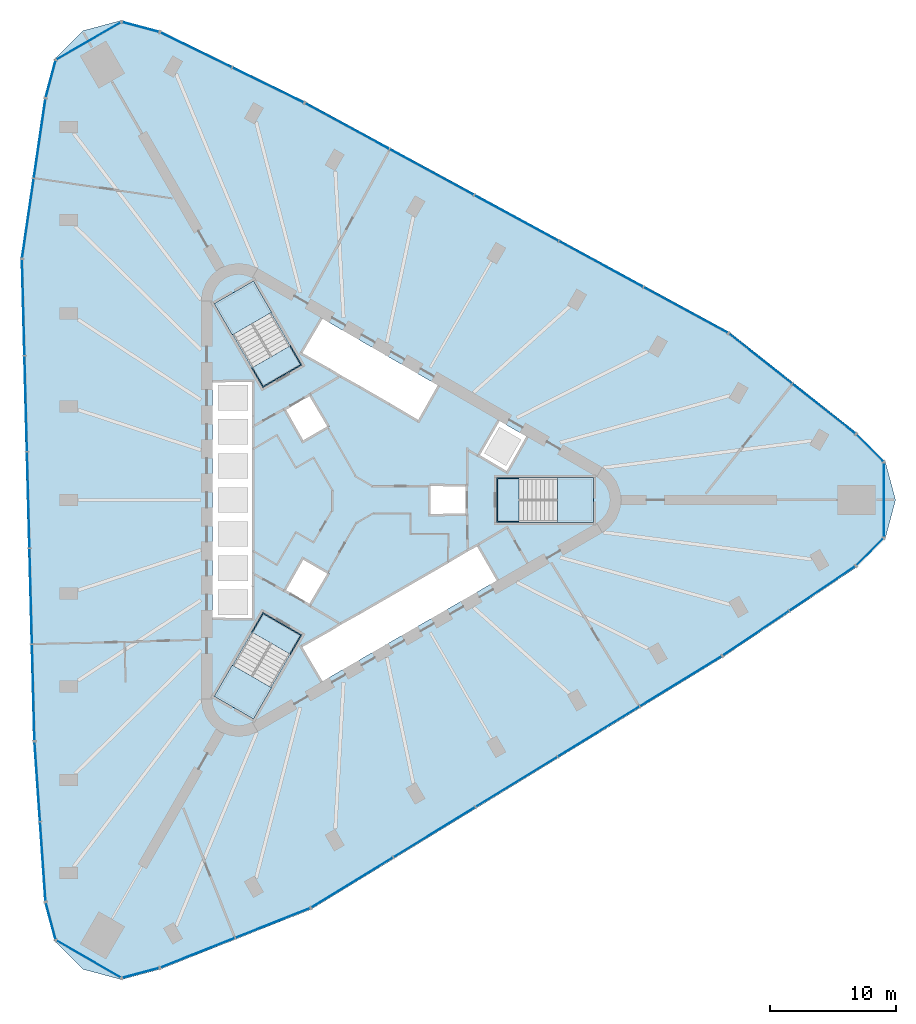
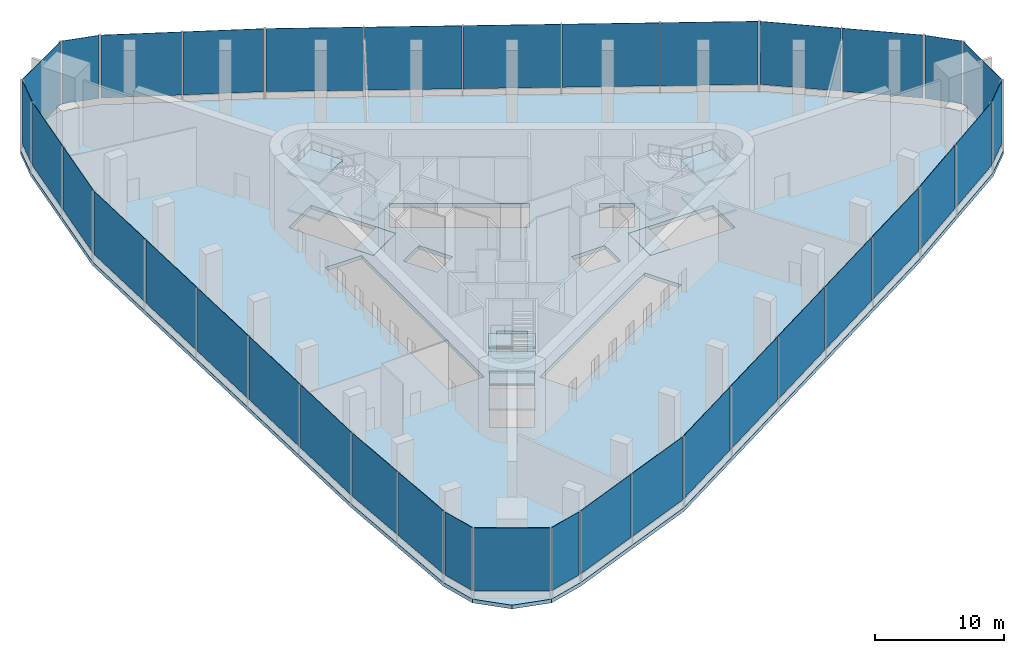
# One storey, part 7 of 15: 36 plates, 13 slabs, 21 elements without a shape of their own.
"""IFC4 building model written with IfcOpenShell, lengths in metres."""

import ifcopenshell
import ifcopenshell.guid

model = None  # the IFC model being written
_history = None  # IfcOwnerHistory: only IFC2X3 demands one
_inside = {}  # id of a spatial element -> (the spatial element, [elements in it])
_under = {}  # id of a project, library or spatial element -> (it, [spatial elements below it])
_declared = {}  # id of a project -> (the project, [libraries it declares])
_typed = {}  # id of a type object -> (the type object, [elements of that type])
_made_of = {}  # id of a material, layer set ... -> (it, [elements and type objects made of it])


def new_model(schema):
    """Start an empty IFC model of exactly this schema.

    Asked for "IFC4X3", IfcOpenShell would pick the latest addendum, in which some entities
    have other attributes; the version numbers below select the first issue.
    IFC2X3 requires an IfcOwnerHistory on every rooted entity: one is made here for all.
    """
    global model, _history
    if schema == "IFC4X3":
        model = ifcopenshell.file(schema_version=(4, 3, 0, 0))
    else:
        model = ifcopenshell.file(schema=schema)
    _inside.clear()
    _under.clear()
    _declared.clear()
    _typed.clear()
    _made_of.clear()
    _history = None
    if model.schema == "IFC2X3":
        org = make("IfcOrganization", Name="unknown")
        user = make(
            "IfcPersonAndOrganization",
            ThePerson=make("IfcPerson", FamilyName="unknown"),
            TheOrganization=org,
        )
        app = make(
            "IfcApplication",
            ApplicationDeveloper=org,
            Version="unknown",
            ApplicationFullName="unknown",
            ApplicationIdentifier="unknown",
        )
        _history = make(
            "IfcOwnerHistory",
            OwningUser=user,
            OwningApplication=app,
            ChangeAction="ADDED",
            CreationDate=0,
        )
    return model


def make(cls, **values):
    """One entity of the class cls with the attributes given. An attribute that is None is left unset."""
    return model.create_entity(
        cls, **{name: value for name, value in values.items() if value is not None}
    )


def rooted(cls, **values):
    """An entity with a GlobalId (a new one), such as an element, a storey or a relation."""
    return make(cls, GlobalId=ifcopenshell.guid.new(), OwnerHistory=_history, **values)


def si_unit(unit_type, name, prefix=None):
    """IfcSIUnit, for example si_unit("LENGTHUNIT", "METRE", prefix="MILLI")."""
    return make("IfcSIUnit", UnitType=unit_type, Prefix=prefix, Name=name)


def assignment(units):
    """IfcUnitAssignment: the units of a project."""
    return None if units is None else make("IfcUnitAssignment", Units=units)


def point(xyz):
    """IfcCartesianPoint."""
    return None if xyz is None else make("IfcCartesianPoint", Coordinates=xyz)


def direction(xyz):
    """IfcDirection."""
    return None if xyz is None else make("IfcDirection", DirectionRatios=xyz)


def frame(location, z_axis=None, x_axis=None):
    """IfcAxis2Placement3D, a coordinate frame: its origin and axes. An axis left out is left unset."""
    return make(
        "IfcAxis2Placement3D",
        Location=point(location),
        Axis=direction(z_axis),
        RefDirection=direction(x_axis),
    )


def frame_2d(location, x_axis=None):
    """IfcAxis2Placement2D, a coordinate frame in the plane: its origin and x axis."""
    return make(
        "IfcAxis2Placement2D", Location=point(location), RefDirection=direction(x_axis)
    )


def origin():
    """The frame at (0, 0, 0) with its axes left unset."""
    return frame((0.0, 0.0, 0.0))


def origin_2d():
    """The frame at (0, 0) in the plane with its x axis left unset."""
    return frame_2d((0.0, 0.0))


def place(relative_to, where):
    """IfcLocalPlacement: puts the frame where relative to a parent placement (None: the world)."""
    return make(
        "IfcLocalPlacement", PlacementRelTo=relative_to, RelativePlacement=where
    )


def context(
    kind, dimensions, precision=None, world=None, true_north=None, identifier=None
):
    """IfcGeometricRepresentationContext, for example the 3D "Model" context."""
    return make(
        "IfcGeometricRepresentationContext",
        ContextIdentifier=identifier,
        ContextType=kind,
        CoordinateSpaceDimension=dimensions,
        Precision=precision,
        WorldCoordinateSystem=world,
        TrueNorth=true_north,
    )


def subcontext(parent, identifier, kind, view, scale=None):
    """IfcGeometricRepresentationSubContext, for example "Body" below "Model"."""
    return make(
        "IfcGeometricRepresentationSubContext",
        ContextIdentifier=identifier,
        ContextType=kind,
        ParentContext=parent,
        TargetScale=scale,
        TargetView=view,
    )


def project(units=None, contexts=None):
    """IfcProject with its units and contexts."""
    return rooted(
        "IfcProject",
        Name="project",
        RepresentationContexts=contexts,
        UnitsInContext=assignment(units),
    )


def spatial(cls, under=None, at=None, **own):
    """A site, building, storey or space (cls), placed at a placement, below another one or the project."""
    s = rooted(cls, ObjectPlacement=at, **own)
    if under is not None:
        _under.setdefault(under.id(), (under, []))[1].append(s)
    return s


def polyline(points):
    """IfcPolyline through the points."""
    return make("IfcPolyline", Points=[point(p) for p in points])


def profile(cls, at=None, kind="AREA", **sizes):
    """A parametric profile (cls). Its sizes go by their IFC names, for example OverallWidth=200.0."""
    return make(cls, ProfileType=kind, Position=at, **sizes)


def rectangle(**sizes):
    """IfcRectangleProfileDef."""
    return profile("IfcRectangleProfileDef", **sizes)


def outline(outer, holes=None, kind="AREA"):
    """IfcArbitraryClosedProfileDef: a profile drawn as a closed curve; with holes, ...WithVoids."""
    if holes is None:
        return make("IfcArbitraryClosedProfileDef", ProfileType=kind, OuterCurve=outer)
    return make(
        "IfcArbitraryProfileDefWithVoids",
        ProfileType=kind,
        OuterCurve=outer,
        InnerCurves=holes,
    )


def extrude(swept, where, along, depth):
    """IfcExtrudedAreaSolid: the profile swept, set in the frame where, extruded along a direction by depth."""
    return make(
        "IfcExtrudedAreaSolid",
        SweptArea=swept,
        Position=where,
        ExtrudedDirection=direction(along),
        Depth=depth,
    )


def shape(context_of_items, identifier, shape_type, items):
    """IfcShapeRepresentation: the items that make up one representation, for example the "Body"."""
    return make(
        "IfcShapeRepresentation",
        ContextOfItems=context_of_items,
        RepresentationIdentifier=identifier,
        RepresentationType=shape_type,
        Items=items,
    )


def material(Name=None, Category=None):
    """IfcMaterial."""
    return make("IfcMaterial", Name=Name, Category=Category)


def layer(
    of_material, thickness, ventilated=None, Name=None, Category=None, Priority=None
):
    """IfcMaterialLayer: one layer of a wall or slab, of a material (None: an air gap)."""
    return make(
        "IfcMaterialLayer",
        Material=of_material,
        LayerThickness=thickness,
        IsVentilated=ventilated,
        Name=Name,
        Category=Category,
        Priority=Priority,
    )


def layer_set(layers, Name=None):
    """IfcMaterialLayerSet."""
    return make("IfcMaterialLayerSet", MaterialLayers=layers, LayerSetName=Name)


def made_of(thing, what):
    """Note that an element or type object is made of a material, layer set ...; save() writes the relation."""
    if what is not None:
        _made_of.setdefault(what.id(), (what, []))[1].append(thing)
    return thing


def type_object(cls, material=None, **own):
    """A type object (cls), such as IfcWallType, which elements share."""
    return made_of(rooted(cls, **own), material)


def element(
    cls,
    number,
    at=None,
    inside=None,
    cuts=None,
    type_object=None,
    material=None,
    context=None,
    identifier="Body",
    shape_type=None,
    held_by="IfcProductDefinitionShape",
    body=None,
    shapes=None,
    **own,
):
    """One element of the class cls, such as IfcWall. Its Tag is "e" and its number.

    at: its placement. inside: the storey or other place that contains it. cuts: it is an
    opening in that element (IfcRelVoidsElement). A single representation is given by context,
    identifier, shape_type and body (its items); several are given by shapes. held_by: the class
    of the entity that holds the representations. save() writes the other relations.
    """
    e = rooted(cls, Tag="e%d" % number, ObjectPlacement=at, **own)
    if body is not None:
        shapes = [shape(context, identifier, shape_type, body)]
    if shapes is not None:
        e.Representation = make(held_by, Representations=shapes)
    if inside is not None:
        _inside.setdefault(inside.id(), (inside, []))[1].append(e)
    if cuts is not None:
        rooted(
            "IfcRelVoidsElement", RelatingBuildingElement=cuts, RelatedOpeningElement=e
        )
    if type_object is not None:
        _typed.setdefault(type_object.id(), (type_object, []))[1].append(e)
    return made_of(e, material)


def aggregate(whole, parts):
    """IfcRelAggregates: a whole, such as a stair, and the parts it consists of."""
    return rooted("IfcRelAggregates", RelatingObject=whole, RelatedObjects=parts)


def save(model, path):
    """Write the relations noted so far, then the file.

    IfcRelAggregates (storeys below a building ...), IfcRelContainedInSpatialStructure (elements
    in a storey), IfcRelDefinesByType, IfcRelAssociatesMaterial and IfcRelDeclares: one each for
    every whole, place, type object, material and project.
    """
    for whole, parts in _under.values():
        aggregate(whole, parts)
    for where, things in _inside.values():
        rooted(
            "IfcRelContainedInSpatialStructure",
            RelatedElements=things,
            RelatingStructure=where,
        )
    for kind, things in _typed.values():
        rooted("IfcRelDefinesByType", RelatedObjects=things, RelatingType=kind)
    for what, things in _made_of.values():
        rooted("IfcRelAssociatesMaterial", RelatedObjects=things, RelatingMaterial=what)
    for by, libraries in _declared.values():
        rooted("IfcRelDeclares", RelatingContext=by, RelatedDefinitions=libraries)
    model.write(path)


model = new_model("IFC4")

# Units and contexts
model_context = context("Model", 3, precision=1e-05, world=origin(), true_north=direction((0.0, 1.0)))
body_context = subcontext(model_context, "Body", "Model", "MODEL_VIEW")
ifc_project = project(units=[si_unit("LENGTHUNIT", "METRE"), si_unit("AREAUNIT", "SQUARE_METRE"), si_unit("VOLUMEUNIT", "CUBIC_METRE"), si_unit("PLANEANGLEUNIT", "RADIAN"), si_unit("MASSUNIT", "GRAM", prefix="KILO")], contexts=[model_context])

# Site, building, storey
site_placement = place(None, origin())
site = spatial("IfcSite", under=ifc_project, at=site_placement, CompositionType="ELEMENT")
building_placement = place(site_placement, origin())
building = spatial("IfcBuilding", under=site, at=building_placement, Name="Tanit Gate Tower", CompositionType="ELEMENT")
storey_placement = place(building_placement, frame((0.0, 0.0, 156.199951171875)))
storey = spatial("IfcBuildingStorey", under=building, at=storey_placement, Name="L34", CompositionType="ELEMENT", Elevation=156.199951171875)

# Curtain wall, plates
ifc_material_1 = material(Name="Aluminium bronze anodised and glass", Category="aluminium")
curtain_wall_type = type_object("IfcCurtainWallType", Name="Curtain wall sky lobby", PredefinedType="NOTDEFINED", material=ifc_material_1)
curtain_wall_1_placement = place(storey_placement, origin())
curtain_wall_1 = element("IfcCurtainWall", 1, at=curtain_wall_1_placement, inside=storey, type_object=curtain_wall_type, Name="Curtain wall L34 NE1", PredefinedType="NOTDEFINED")
ifc_material_2 = material(Name="Glass tinted laminated safety", Category="glass")
ifc_layer_1 = layer(ifc_material_2, 0.035888671875)
ifc_layer_set_1 = layer_set([ifc_layer_1], Name="Glass panel 36 sky lobby")
plate_type = type_object("IfcPlateType", Name="Glass panel 36 sky lobby", PredefinedType="CURTAIN_PANEL", material=ifc_layer_set_1)
plate_1_placement = place(storey_placement, frame((37.244873046875, 7.231201171875, 0.7001953125), z_axis=(0.0, 0.0, 1.0), x_axis=(-0.784236570072, 0.620461926441, 0.0)))
plate_1 = element("IfcPlate", 2, at=plate_1_placement, type_object=plate_type, Name="Glass panel L34 NE1.1", PredefinedType="CURTAIN_PANEL", context=body_context, shape_type="SweptSolid", body=[
    extrude(rectangle(XDim=6.312744140625, YDim=0.035888671875, at=origin_2d()), origin(), (0.0, 0.0, 1.0), 5.949951171875),
])
plate_2_placement = place(storey_placement, frame((32.231201171875, 11.197509765625, 0.7001953125), z_axis=(0.0, 0.0, 1.0), x_axis=(-0.784236570072, 0.620461926441, 0.0)))
plate_2 = element("IfcPlate", 3, at=plate_2_placement, type_object=plate_type, Name="Glass panel L34 NE1.2", PredefinedType="CURTAIN_PANEL", context=body_context, shape_type="SweptSolid", body=[
    extrude(rectangle(XDim=6.312744140625, YDim=0.035888671875, at=origin_2d()), origin(), (0.0, 0.0, 1.0), 5.949951171875),
])
aggregate(curtain_wall_1, [plate_1, plate_2])

curtain_wall_2_placement = place(storey_placement, origin())
curtain_wall_2 = element("IfcCurtainWall", 4, at=curtain_wall_2_placement, inside=storey, type_object=curtain_wall_type, Name="Curtain wall L34 NE2", PredefinedType="NOTDEFINED")
plate_3_placement = place(storey_placement, frame((26.30517578125, 15.04638671875, 0.7001953125), z_axis=(0.0, 0.0, 1.0), x_axis=(-0.87869633876, 0.477381131015, 0.0)))
plate_3 = element("IfcPlate", 5, at=plate_3_placement, type_object=plate_type, Name="Glass panel L34 NE2.1", PredefinedType="CURTAIN_PANEL", context=body_context, shape_type="SweptSolid", body=[
    extrude(rectangle(XDim=7.5517578125, YDim=0.035888671875, at=origin_2d()), origin(), (0.0, 0.0, 1.0), 5.949951171875),
])
plate_4_placement = place(storey_placement, frame((19.59912109375, 18.689697265625, 0.7001953125), z_axis=(0.0, 0.0, 1.0), x_axis=(-0.87869633876, 0.477381131015, 0.0)))
plate_4 = element("IfcPlate", 6, at=plate_4_placement, type_object=plate_type, Name="Glass panel L34 NE2.2", PredefinedType="CURTAIN_PANEL", context=body_context, shape_type="SweptSolid", body=[
    extrude(rectangle(XDim=7.5517578125, YDim=0.035888671875, at=origin_2d()), origin(), (0.0, 0.0, 1.0), 5.949951171875),
])
plate_5_placement = place(storey_placement, frame((12.89306640625, 22.3330078125, 0.7001953125), z_axis=(0.0, 0.0, 1.0), x_axis=(-0.87869633876, 0.477381131015, 0.0)))
plate_5 = element("IfcPlate", 7, at=plate_5_placement, type_object=plate_type, Name="Glass panel L34 NE2.3", PredefinedType="CURTAIN_PANEL", context=body_context, shape_type="SweptSolid", body=[
    extrude(rectangle(XDim=7.5517578125, YDim=0.035888671875, at=origin_2d()), origin(), (0.0, 0.0, 1.0), 5.949951171875),
])
plate_6_placement = place(storey_placement, frame((6.18701171875, 25.97607421875, 0.7001953125), z_axis=(0.0, 0.0, 1.0), x_axis=(-0.87869633876, 0.477381131015, 0.0)))
plate_6 = element("IfcPlate", 8, at=plate_6_placement, type_object=plate_type, Name="Glass panel L34 NE2.4", PredefinedType="CURTAIN_PANEL", context=body_context, shape_type="SweptSolid", body=[
    extrude(rectangle(XDim=7.5517578125, YDim=0.035888671875, at=origin_2d()), origin(), (0.0, 0.0, 1.0), 5.949951171875),
])
plate_7_placement = place(storey_placement, frame((-0.51904296875, 29.619384765625, 0.7001953125), z_axis=(0.0, 0.0, 1.0), x_axis=(-0.87869633876, 0.477381131015, 0.0)))
plate_7 = element("IfcPlate", 9, at=plate_7_placement, type_object=plate_type, Name="Glass panel L34 NE2.5", PredefinedType="CURTAIN_PANEL", context=body_context, shape_type="SweptSolid", body=[
    extrude(rectangle(XDim=7.5517578125, YDim=0.035888671875, at=origin_2d()), origin(), (0.0, 0.0, 1.0), 5.949951171875),
])
aggregate(curtain_wall_2, [plate_3, plate_4, plate_5, plate_6, plate_7])

curtain_wall_3_placement = place(storey_placement, origin())
curtain_wall_3 = element("IfcCurtainWall", 10, at=curtain_wall_3_placement, inside=storey, type_object=curtain_wall_type, Name="Curtain wall L34 NE3", PredefinedType="NOTDEFINED")
plate_8_placement = place(storey_placement, frame((-6.79150390625, 32.870361328125, 0.7001953125), z_axis=(0.0, 0.0, 1.0), x_axis=(-0.898378505886, 0.439222108006, 0.0)))
plate_8 = element("IfcPlate", 11, at=plate_8_placement, type_object=plate_type, Name="Glass panel L34 NE3.1", PredefinedType="CURTAIN_PANEL", context=body_context, shape_type="SweptSolid", body=[
    extrude(rectangle(XDim=6.26123046875, YDim=0.035888671875, at=origin_2d()), origin(), (0.0, 0.0, 1.0), 5.949951171875),
])
plate_9_placement = place(storey_placement, frame((-12.48828125, 35.655517578125, 0.7001953125), z_axis=(0.0, 0.0, 1.0), x_axis=(-0.898378505886, 0.439222108006, 0.0)))
plate_9 = element("IfcPlate", 12, at=plate_9_placement, type_object=plate_type, Name="Glass panel L34 NE3.2", PredefinedType="CURTAIN_PANEL", context=body_context, shape_type="SweptSolid", body=[
    extrude(rectangle(XDim=6.26123046875, YDim=0.035888671875, at=origin_2d()), origin(), (0.0, 0.0, 1.0), 5.949951171875),
])
aggregate(curtain_wall_3, [plate_8, plate_9])

# Curtain wall, plate
curtain_wall_4_placement = place(storey_placement, origin())
curtain_wall_4 = element("IfcCurtainWall", 13, at=curtain_wall_4_placement, inside=storey, type_object=curtain_wall_type, Name="Curtain wall L34 NW.arc1", PredefinedType="NOTDEFINED")
plate_10_placement = place(storey_placement, frame((-16.88525390625, 37.470947265625, 0.7001953125), z_axis=(0.0, 0.0, 1.0), x_axis=(-0.965925826289, 0.258819045103, 0.0)))
plate_10 = element("IfcPlate", 14, at=plate_10_placement, type_object=plate_type, Name="Glass panel L34 NW.arc1.1", PredefinedType="CURTAIN_PANEL", context=body_context, shape_type="SweptSolid", body=[
    extrude(rectangle(XDim=2.9716796875, YDim=0.035888671875, at=origin_2d()), origin(), (0.0, 0.0, 1.0), 5.949951171875),
])
aggregate(curtain_wall_4, [plate_10])

curtain_wall_5_placement = place(storey_placement, origin())
curtain_wall_5 = element("IfcCurtainWall", 15, at=curtain_wall_5_placement, inside=storey, type_object=curtain_wall_type, Name="Curtain wall L34 NW.arc2", PredefinedType="NOTDEFINED")
plate_11_placement = place(storey_placement, frame((-21.000244140625, 36.37353515625, 0.7001953125), z_axis=(0.0, 0.0, 1.0), x_axis=(-0.866025403784, -0.5, 0.0)))
plate_11 = element("IfcPlate", 16, at=plate_11_placement, type_object=plate_type, Name="Glass panel L34 NW.arc2.1", PredefinedType="CURTAIN_PANEL", context=body_context, shape_type="SweptSolid", body=[
    extrude(rectangle(XDim=5.8505859375, YDim=0.035888671875, at=origin_2d()), origin(), (0.0, 0.0, 1.0), 5.949951171875),
])
aggregate(curtain_wall_5, [plate_11])

curtain_wall_6_placement = place(storey_placement, origin())
curtain_wall_6 = element("IfcCurtainWall", 17, at=curtain_wall_6_placement, inside=storey, type_object=curtain_wall_type, Name="Curtain wall L34 NW.arc3", PredefinedType="NOTDEFINED")
plate_12_placement = place(storey_placement, frame((-24.0087890625, 33.356201171875, 0.7001953125), z_axis=(0.0, 0.0, 1.0), x_axis=(-0.258819045103, -0.965925826289, 0.0)))
plate_12 = element("IfcPlate", 18, at=plate_12_placement, type_object=plate_type, Name="Glass panel L34 NW.arc3.1", PredefinedType="CURTAIN_PANEL", context=body_context, shape_type="SweptSolid", body=[
    extrude(rectangle(XDim=2.976318359375, YDim=0.035888671875, at=origin_2d()), origin(), (0.0, 0.0, 1.0), 5.949951171875),
])
aggregate(curtain_wall_6, [plate_12])

# Curtain wall, plates
curtain_wall_7_placement = place(storey_placement, origin())
curtain_wall_7 = element("IfcCurtainWall", 19, at=curtain_wall_7_placement, inside=storey, type_object=curtain_wall_type, Name="Curtain wall L34 W1", PredefinedType="NOTDEFINED")
plate_13_placement = place(storey_placement, frame((-24.884765625, 28.639404296875, 0.7001953125), z_axis=(0.0, 0.0, 1.0), x_axis=(-0.145217505343, -0.989399755479, 0.0)))
plate_13 = element("IfcPlate", 20, at=plate_13_placement, type_object=plate_type, Name="Glass panel L34 W1.1", PredefinedType="CURTAIN_PANEL", context=body_context, shape_type="SweptSolid", body=[
    extrude(rectangle(XDim=6.312744140625, YDim=0.035888671875, at=origin_2d()), origin(), (0.0, 0.0, 1.0), 5.949951171875),
])
plate_14_placement = place(storey_placement, frame((-25.81298828125, 22.314453125, 0.7001953125), z_axis=(0.0, 0.0, 1.0), x_axis=(-0.145217505343, -0.989399755479, 0.0)))
plate_14 = element("IfcPlate", 21, at=plate_14_placement, type_object=plate_type, Name="Glass panel L34 W1.2", PredefinedType="CURTAIN_PANEL", context=body_context, shape_type="SweptSolid", body=[
    extrude(rectangle(XDim=6.312744140625, YDim=0.035888671875, at=origin_2d()), origin(), (0.0, 0.0, 1.0), 5.949951171875),
])
aggregate(curtain_wall_7, [plate_13, plate_14])

curtain_wall_8_placement = place(storey_placement, origin())
curtain_wall_8 = element("IfcCurtainWall", 22, at=curtain_wall_8_placement, inside=storey, type_object=curtain_wall_type, Name="Curtain wall L34 W2", PredefinedType="NOTDEFINED")
plate_15_placement = place(storey_placement, frame((-26.18310546875, 15.257568359375, 0.7001953125), z_axis=(0.0, 0.0, 1.0), x_axis=(0.025923982634, -0.999663917086, 0.0)))
plate_15 = element("IfcPlate", 23, at=plate_15_placement, type_object=plate_type, Name="Glass panel L34 W2.1", PredefinedType="CURTAIN_PANEL", context=body_context, shape_type="SweptSolid", body=[
    extrude(rectangle(XDim=7.5517578125, YDim=0.035888671875, at=origin_2d()), origin(), (0.0, 0.0, 1.0), 5.949951171875),
])
plate_16_placement = place(storey_placement, frame((-25.985107421875, 7.62841796875, 0.7001953125), z_axis=(0.0, 0.0, 1.0), x_axis=(0.025923982634, -0.999663917086, 0.0)))
plate_16 = element("IfcPlate", 24, at=plate_16_placement, type_object=plate_type, Name="Glass panel L34 W2.2", PredefinedType="CURTAIN_PANEL", context=body_context, shape_type="SweptSolid", body=[
    extrude(rectangle(XDim=7.5517578125, YDim=0.035888671875, at=origin_2d()), origin(), (0.0, 0.0, 1.0), 5.949951171875),
])
plate_17_placement = place(storey_placement, frame((-25.787353515625, -0.000732421875, 0.7001953125), z_axis=(0.0, 0.0, 1.0), x_axis=(0.025923982634, -0.999663917086, 0.0)))
plate_17 = element("IfcPlate", 25, at=plate_17_placement, type_object=plate_type, Name="Glass panel L34 W2.3", PredefinedType="CURTAIN_PANEL", context=body_context, shape_type="SweptSolid", body=[
    extrude(rectangle(XDim=7.5517578125, YDim=0.035888671875, at=origin_2d()), origin(), (0.0, 0.0, 1.0), 5.949951171875),
])
plate_18_placement = place(storey_placement, frame((-25.589599609375, -7.6298828125, 0.7001953125), z_axis=(0.0, 0.0, 1.0), x_axis=(0.025923982634, -0.999663917086, 0.0)))
plate_18 = element("IfcPlate", 26, at=plate_18_placement, type_object=plate_type, Name="Glass panel L34 W2.4", PredefinedType="CURTAIN_PANEL", context=body_context, shape_type="SweptSolid", body=[
    extrude(rectangle(XDim=7.5517578125, YDim=0.035888671875, at=origin_2d()), origin(), (0.0, 0.0, 1.0), 5.949951171875),
])
plate_19_placement = place(storey_placement, frame((-25.3916015625, -15.25927734375, 0.7001953125), z_axis=(0.0, 0.0, 1.0), x_axis=(0.025923982634, -0.999663917086, 0.0)))
plate_19 = element("IfcPlate", 27, at=plate_19_placement, type_object=plate_type, Name="Glass panel L34 W2.5", PredefinedType="CURTAIN_PANEL", context=body_context, shape_type="SweptSolid", body=[
    extrude(rectangle(XDim=7.5517578125, YDim=0.035888671875, at=origin_2d()), origin(), (0.0, 0.0, 1.0), 5.949951171875),
])
aggregate(curtain_wall_8, [plate_15, plate_16, plate_17, plate_18, plate_19])

curtain_wall_9_placement = place(storey_placement, origin())
curtain_wall_9 = element("IfcCurtainWall", 28, at=curtain_wall_9_placement, inside=storey, type_object=curtain_wall_type, Name="Curtain wall L34 W3", PredefinedType="NOTDEFINED")
plate_20_placement = place(storey_placement, frame((-25.07080078125, -22.31689453125, 0.7001953125), z_axis=(0.0, 0.0, 1.0), x_axis=(0.068811749506, -0.997629662315, 0.0)))
plate_20 = element("IfcPlate", 29, at=plate_20_placement, type_object=plate_type, Name="Glass panel L34 W3.1", PredefinedType="CURTAIN_PANEL", context=body_context, shape_type="SweptSolid", body=[
    extrude(rectangle(XDim=6.26123046875, YDim=0.035888671875, at=origin_2d()), origin(), (0.0, 0.0, 1.0), 5.949951171875),
])
plate_21_placement = place(storey_placement, frame((-24.634521484375, -28.64306640625, 0.7001953125), z_axis=(0.0, 0.0, 1.0), x_axis=(0.068811749506, -0.997629662315, 0.0)))
plate_21 = element("IfcPlate", 30, at=plate_21_placement, type_object=plate_type, Name="Glass panel L34 W3.2", PredefinedType="CURTAIN_PANEL", context=body_context, shape_type="SweptSolid", body=[
    extrude(rectangle(XDim=6.26123046875, YDim=0.035888671875, at=origin_2d()), origin(), (0.0, 0.0, 1.0), 5.949951171875),
])
aggregate(curtain_wall_9, [plate_20, plate_21])

# Curtain wall, plate
curtain_wall_10_placement = place(storey_placement, origin())
curtain_wall_10 = element("IfcCurtainWall", 31, at=curtain_wall_10_placement, inside=storey, type_object=curtain_wall_type, Name="Curtain wall L34 SW.arc1", PredefinedType="NOTDEFINED")
plate_22_placement = place(storey_placement, frame((-24.00830078125, -33.3583984375, 0.7001953125), z_axis=(0.0, 0.0, 1.0), x_axis=(0.258819045103, -0.965925826289, 0.0)))
plate_22 = element("IfcPlate", 32, at=plate_22_placement, type_object=plate_type, Name="Glass panel L34 SW.arc1.1", PredefinedType="CURTAIN_PANEL", context=body_context, shape_type="SweptSolid", body=[
    extrude(rectangle(XDim=2.9716796875, YDim=0.035888671875, at=origin_2d()), origin(), (0.0, 0.0, 1.0), 5.949951171875),
])
aggregate(curtain_wall_10, [plate_22])

curtain_wall_11_placement = place(storey_placement, origin())
curtain_wall_11 = element("IfcCurtainWall", 33, at=curtain_wall_11_placement, inside=storey, type_object=curtain_wall_type, Name="Curtain wall L34 SW.arc2", PredefinedType="NOTDEFINED")
plate_23_placement = place(storey_placement, frame((-21.000244140625, -36.373779296875, 0.7001953125), z_axis=(0.0, 0.0, 1.0), x_axis=(0.866025403784, -0.5, 0.0)))
plate_23 = element("IfcPlate", 34, at=plate_23_placement, type_object=plate_type, Name="Glass panel L34 SW.arc2.1", PredefinedType="CURTAIN_PANEL", context=body_context, shape_type="SweptSolid", body=[
    extrude(rectangle(XDim=5.8505859375, YDim=0.035888671875, at=origin_2d()), origin(), (0.0, 0.0, 1.0), 5.949951171875),
])
aggregate(curtain_wall_11, [plate_23])

curtain_wall_12_placement = place(storey_placement, origin())
curtain_wall_12 = element("IfcCurtainWall", 35, at=curtain_wall_12_placement, inside=storey, type_object=curtain_wall_type, Name="Curtain wall L34 SW.arc3", PredefinedType="NOTDEFINED")
plate_24_placement = place(storey_placement, frame((-16.883056640625, -37.470458984375, 0.7001953125), z_axis=(0.0, 0.0, 1.0), x_axis=(0.965925826289, 0.258819045103, 0.0)))
plate_24 = element("IfcPlate", 36, at=plate_24_placement, type_object=plate_type, Name="Glass panel L34 SW.arc3.1", PredefinedType="CURTAIN_PANEL", context=body_context, shape_type="SweptSolid", body=[
    extrude(rectangle(XDim=2.976318359375, YDim=0.035888671875, at=origin_2d()), origin(), (0.0, 0.0, 1.0), 5.949951171875),
])
aggregate(curtain_wall_12, [plate_24])

# Curtain wall, plates
curtain_wall_13_placement = place(storey_placement, origin())
curtain_wall_13 = element("IfcCurtainWall", 37, at=curtain_wall_13_placement, inside=storey, type_object=curtain_wall_type, Name="Curtain wall L34 SE1", PredefinedType="NOTDEFINED")
plate_25_placement = place(storey_placement, frame((-12.360107421875, -35.870361328125, 0.7001953125), z_axis=(0.0, 0.0, 1.0), x_axis=(0.929454075414, 0.368937829038, 0.0)))
plate_25 = element("IfcPlate", 38, at=plate_25_placement, type_object=plate_type, Name="Glass panel L34 SE1.1", PredefinedType="CURTAIN_PANEL", context=body_context, shape_type="SweptSolid", body=[
    extrude(rectangle(XDim=6.312744140625, YDim=0.035888671875, at=origin_2d()), origin(), (0.0, 0.0, 1.0), 5.949951171875),
])
plate_26_placement = place(storey_placement, frame((-6.418212890625, -33.511962890625, 0.7001953125), z_axis=(0.0, 0.0, 1.0), x_axis=(0.929454075414, 0.368937829038, 0.0)))
plate_26 = element("IfcPlate", 39, at=plate_26_placement, type_object=plate_type, Name="Glass panel L34 SE1.2", PredefinedType="CURTAIN_PANEL", context=body_context, shape_type="SweptSolid", body=[
    extrude(rectangle(XDim=6.312744140625, YDim=0.035888671875, at=origin_2d()), origin(), (0.0, 0.0, 1.0), 5.949951171875),
])
aggregate(curtain_wall_13, [plate_25, plate_26])

curtain_wall_14_placement = place(storey_placement, origin())
curtain_wall_14 = element("IfcCurtainWall", 40, at=curtain_wall_14_placement, inside=storey, type_object=curtain_wall_type, Name="Curtain wall L34 SE2", PredefinedType="NOTDEFINED")
plate_27_placement = place(storey_placement, frame((-0.1220703125, -30.303955078125, 0.7001953125), z_axis=(0.0, 0.0, 1.0), x_axis=(0.852772356127, 0.522282786071, 0.0)))
plate_27 = element("IfcPlate", 41, at=plate_27_placement, type_object=plate_type, Name="Glass panel L34 SE2.1", PredefinedType="CURTAIN_PANEL", context=body_context, shape_type="SweptSolid", body=[
    extrude(rectangle(XDim=7.5517578125, YDim=0.035888671875, at=origin_2d()), origin(), (0.0, 0.0, 1.0), 5.949951171875),
])
plate_28_placement = place(storey_placement, frame((6.38623046875, -26.318115234375, 0.7001953125), z_axis=(0.0, 0.0, 1.0), x_axis=(0.852772356127, 0.522282786071, 0.0)))
plate_28 = element("IfcPlate", 42, at=plate_28_placement, type_object=plate_type, Name="Glass panel L34 SE2.2", PredefinedType="CURTAIN_PANEL", context=body_context, shape_type="SweptSolid", body=[
    extrude(rectangle(XDim=7.5517578125, YDim=0.035888671875, at=origin_2d()), origin(), (0.0, 0.0, 1.0), 5.949951171875),
])
plate_29_placement = place(storey_placement, frame((12.894287109375, -22.33203125, 0.7001953125), z_axis=(0.0, 0.0, 1.0), x_axis=(0.852772356127, 0.522282786071, 0.0)))
plate_29 = element("IfcPlate", 43, at=plate_29_placement, type_object=plate_type, Name="Glass panel L34 SE2.3", PredefinedType="CURTAIN_PANEL", context=body_context, shape_type="SweptSolid", body=[
    extrude(rectangle(XDim=7.5517578125, YDim=0.035888671875, at=origin_2d()), origin(), (0.0, 0.0, 1.0), 5.949951171875),
])
plate_30_placement = place(storey_placement, frame((19.402587890625, -18.34619140625, 0.7001953125), z_axis=(0.0, 0.0, 1.0), x_axis=(0.852772356127, 0.522282786071, 0.0)))
plate_30 = element("IfcPlate", 44, at=plate_30_placement, type_object=plate_type, Name="Glass panel L34 SE2.4", PredefinedType="CURTAIN_PANEL", context=body_context, shape_type="SweptSolid", body=[
    extrude(rectangle(XDim=7.5517578125, YDim=0.035888671875, at=origin_2d()), origin(), (0.0, 0.0, 1.0), 5.949951171875),
])
plate_31_placement = place(storey_placement, frame((25.91064453125, -14.3603515625, 0.7001953125), z_axis=(0.0, 0.0, 1.0), x_axis=(0.852772356127, 0.522282786071, 0.0)))
plate_31 = element("IfcPlate", 45, at=plate_31_placement, type_object=plate_type, Name="Glass panel L34 SE2.5", PredefinedType="CURTAIN_PANEL", context=body_context, shape_type="SweptSolid", body=[
    extrude(rectangle(XDim=7.5517578125, YDim=0.035888671875, at=origin_2d()), origin(), (0.0, 0.0, 1.0), 5.949951171875),
])
aggregate(curtain_wall_14, [plate_27, plate_28, plate_29, plate_30, plate_31])

curtain_wall_15_placement = place(storey_placement, origin())
curtain_wall_15 = element("IfcCurtainWall", 46, at=curtain_wall_15_placement, inside=storey, type_object=curtain_wall_type, Name="Curtain wall L34 SE3", PredefinedType="NOTDEFINED")
plate_32_placement = place(storey_placement, frame((31.8623046875, -10.553466796875, 0.7001953125), z_axis=(0.0, 0.0, 1.0), x_axis=(0.82956675638, 0.558407554309, 0.0)))
plate_32 = element("IfcPlate", 47, at=plate_32_placement, type_object=plate_type, Name="Glass panel L34 SE3.1", PredefinedType="CURTAIN_PANEL", context=body_context, shape_type="SweptSolid", body=[
    extrude(rectangle(XDim=6.26123046875, YDim=0.035888671875, at=origin_2d()), origin(), (0.0, 0.0, 1.0), 5.949951171875),
])
plate_33_placement = place(storey_placement, frame((37.122802734375, -7.0126953125, 0.7001953125), z_axis=(0.0, 0.0, 1.0), x_axis=(0.82956675638, 0.558407554309, 0.0)))
plate_33 = element("IfcPlate", 48, at=plate_33_placement, type_object=plate_type, Name="Glass panel L34 SE3.2", PredefinedType="CURTAIN_PANEL", context=body_context, shape_type="SweptSolid", body=[
    extrude(rectangle(XDim=6.26123046875, YDim=0.035888671875, at=origin_2d()), origin(), (0.0, 0.0, 1.0), 5.949951171875),
])
aggregate(curtain_wall_15, [plate_32, plate_33])

# Curtain wall, plate
curtain_wall_16_placement = place(storey_placement, origin())
curtain_wall_16 = element("IfcCurtainWall", 49, at=curtain_wall_16_placement, inside=storey, type_object=curtain_wall_type, Name="Curtain wall L34 E.arc1", PredefinedType="NOTDEFINED")
plate_34_placement = place(storey_placement, frame((40.893310546875, -4.112548828125, 0.7001953125), z_axis=(0.0, 0.0, 1.0), x_axis=(0.707106781187, 0.707106781187, 0.0)))
plate_34 = element("IfcPlate", 50, at=plate_34_placement, type_object=plate_type, Name="Glass panel L34 E.arc1.1", PredefinedType="CURTAIN_PANEL", context=body_context, shape_type="SweptSolid", body=[
    extrude(rectangle(XDim=2.9716796875, YDim=0.035888671875, at=origin_2d()), origin(), (0.0, 0.0, 1.0), 5.949951171875),
])
aggregate(curtain_wall_16, [plate_34])

curtain_wall_17_placement = place(storey_placement, origin())
curtain_wall_17 = element("IfcCurtainWall", 51, at=curtain_wall_17_placement, inside=storey, type_object=curtain_wall_type, Name="Curtain wall L34 E.arc2", PredefinedType="NOTDEFINED")
plate_35_placement = place(storey_placement, frame((42.000732421875, 0.0, 0.7001953125), z_axis=(0.0, 0.0, 1.0), x_axis=(0.0, 1.0, 0.0)))
plate_35 = element("IfcPlate", 52, at=plate_35_placement, type_object=plate_type, Name="Glass panel L34 E.arc2.1", PredefinedType="CURTAIN_PANEL", context=body_context, shape_type="SweptSolid", body=[
    extrude(rectangle(XDim=5.8505859375, YDim=0.035888671875, at=origin_2d()), origin(), (0.0, 0.0, 1.0), 5.949951171875),
])
aggregate(curtain_wall_17, [plate_35])

curtain_wall_18_placement = place(storey_placement, origin())
curtain_wall_18 = element("IfcCurtainWall", 53, at=curtain_wall_18_placement, inside=storey, type_object=curtain_wall_type, Name="Curtain wall L34 E.arc3", PredefinedType="NOTDEFINED")
plate_36_placement = place(storey_placement, frame((40.891845703125, 4.114013671875, 0.7001953125), z_axis=(0.0, 0.0, 1.0), x_axis=(-0.707106781187, 0.707106781187, 0.0)))
plate_36 = element("IfcPlate", 54, at=plate_36_placement, type_object=plate_type, Name="Glass panel L34 E.arc3.1", PredefinedType="CURTAIN_PANEL", context=body_context, shape_type="SweptSolid", body=[
    extrude(rectangle(XDim=2.976318359375, YDim=0.035888671875, at=origin_2d()), origin(), (0.0, 0.0, 1.0), 5.949951171875),
])
aggregate(curtain_wall_18, [plate_36])

# Stair, slabs
ifc_material_3 = material(Name="Concrete C40/50", Category="concrete")
stair_type = type_object("IfcStairType", Name="INT-STAIR-EXIT", PredefinedType="HALF_TURN_STAIR", material=ifc_material_3)
stair_1_placement = place(storey_placement, origin())
stair_1 = element("IfcStair", 55, at=stair_1_placement, inside=storey, type_object=stair_type, Name="L34 STAIR S1", PredefinedType="HALF_TURN_STAIR")
ifc_material_4 = material(Name="Concrete C40/50", Category="concrete")
ifc_layer_2 = layer(ifc_material_4, 0.199951171875)
ifc_layer_set_2 = layer_set([ifc_layer_2], Name="INT-STAIR-LANDING")
slab_type_1 = type_object("IfcSlabType", Name="INT-STAIR-LANDING", PredefinedType="LANDING", material=ifc_layer_set_2)
slab_1_placement = place(storey_placement, frame((0.0, 0.0, 1.550048828125)))
slab_1 = element("IfcSlab", 56, at=slab_1_placement, type_object=slab_type_1, Name="S1 landing 1", PredefinedType="LANDING", context=body_context, shape_type="SweptSolid", body=[
    extrude(outline(polyline([(16.135986328125, -1.800048828125), (19.0, -1.800048828125), (19.0, 1.800048828125), (16.135986328125, 1.800048828125), (16.135986328125, -1.800048828125)])), origin(), (0.0, 0.0, 1.0), 0.199951171875),
])
slab_2_placement = place(storey_placement, frame((0.0, 0.0, 3.300048828125)))
slab_2 = element("IfcSlab", 57, at=slab_2_placement, type_object=slab_type_1, Name="S1 landing 2", PredefinedType="LANDING", context=body_context, shape_type="SweptSolid", body=[
    extrude(outline(polyline([(11.300048828125, -1.800048828125), (13.10498046875, -1.800048828125), (13.10498046875, 1.800048828125), (11.300048828125, 1.800048828125), (11.300048828125, -1.800048828125)])), origin(), (0.0, 0.0, 1.0), 0.199951171875),
])
slab_3_placement = place(storey_placement, frame((0.0, 0.0, 5.050048828125)))
slab_3 = element("IfcSlab", 58, at=slab_3_placement, type_object=slab_type_1, Name="S1 landing 3", PredefinedType="LANDING", context=body_context, shape_type="SweptSolid", body=[
    extrude(outline(polyline([(16.135986328125, -1.800048828125), (19.0, -1.800048828125), (19.0, 1.800048828125), (16.135986328125, 1.800048828125), (16.135986328125, -1.800048828125)])), origin(), (0.0, 0.0, 1.0), 0.199951171875),
])
aggregate(stair_1, [slab_1, slab_2, slab_3])

# Slab
slab_4_placement = place(storey_placement, frame((0.0, 0.0, -0.199951171875)))
element("IfcSlab", 59, at=slab_4_placement, inside=storey, type_object=slab_type_1, Name="S1 floor landing", PredefinedType="LANDING", context=body_context, shape_type="SweptSolid", body=[
    extrude(outline(polyline([(11.3798828125, -1.719970703125), (13.10498046875, -1.719970703125), (13.10498046875, 1.719970703125), (11.3798828125, 1.719970703125), (11.3798828125, -1.719970703125)])), origin(), (0.0, 0.0, 1.0), 0.199951171875),
])

# Stair, slabs
stair_2_placement = place(storey_placement, origin())
stair_2 = element("IfcStair", 60, at=stair_2_placement, inside=storey, type_object=stair_type, Name="L34 STAIR S2", PredefinedType="HALF_TURN_STAIR")
slab_5_placement = place(storey_placement, frame((0.0, 0.0, 1.550048828125)))
slab_5 = element("IfcSlab", 61, at=slab_5_placement, type_object=slab_type_1, Name="S2 landing 1", PredefinedType="LANDING", context=body_context, shape_type="SweptSolid", body=[
    extrude(outline(polyline([(-6.5078125, 14.871826171875), (-7.941162109375, 17.3544921875), (-11.058837890625, 15.554443359375), (-9.62548828125, 13.07177734375), (-6.5078125, 14.871826171875)])), origin(), (0.0, 0.0, 1.0), 0.199951171875),
])
slab_6_placement = place(storey_placement, frame((0.0, 0.0, 3.300048828125)))
slab_6 = element("IfcSlab", 62, at=slab_6_placement, type_object=slab_type_1, Name="S2 landing 2", PredefinedType="LANDING", context=body_context, shape_type="SweptSolid", body=[
    extrude(outline(polyline([(-4.091064453125, 10.68603515625), (-4.9931640625, 12.248291015625), (-8.11083984375, 10.448486328125), (-7.208740234375, 8.885986328125), (-4.091064453125, 10.68603515625)])), origin(), (0.0, 0.0, 1.0), 0.199951171875),
])
slab_7_placement = place(storey_placement, frame((0.0, 0.0, 5.050048828125)))
slab_7 = element("IfcSlab", 63, at=slab_7_placement, type_object=slab_type_1, Name="S2 landing 3", PredefinedType="LANDING", context=body_context, shape_type="SweptSolid", body=[
    extrude(outline(polyline([(-6.5078125, 14.871826171875), (-7.941162109375, 17.3544921875), (-11.058837890625, 15.554443359375), (-9.62548828125, 13.07177734375), (-6.5078125, 14.871826171875)])), origin(), (0.0, 0.0, 1.0), 0.199951171875),
])
aggregate(stair_2, [slab_5, slab_6, slab_7])

# Slab
slab_8_placement = place(storey_placement, frame((0.0, 0.0, -0.199951171875)))
element("IfcSlab", 64, at=slab_8_placement, inside=storey, type_object=slab_type_1, Name="S2 floor landing", PredefinedType="LANDING", context=body_context, shape_type="SweptSolid", body=[
    extrude(outline(polyline([(-4.200439453125, 10.71533203125), (-5.0625, 12.20849609375), (-8.04150390625, 10.48828125), (-7.179443359375, 8.995361328125), (-4.200439453125, 10.71533203125)])), origin(), (0.0, 0.0, 1.0), 0.199951171875),
])

# Stair, slabs
stair_3_placement = place(storey_placement, origin())
stair_3 = element("IfcStair", 65, at=stair_3_placement, inside=storey, type_object=stair_type, Name="L34 STAIR S3", PredefinedType="HALF_TURN_STAIR")
slab_9_placement = place(storey_placement, frame((0.0, 0.0, 1.550048828125)))
slab_9 = element("IfcSlab", 66, at=slab_9_placement, type_object=slab_type_1, Name="S3 landing 1", PredefinedType="LANDING", context=body_context, shape_type="SweptSolid", body=[
    extrude(outline(polyline([(-9.626953125, -13.07421875), (-11.058837890625, -15.554443359375), (-7.941162109375, -17.3544921875), (-6.509033203125, -14.874267578125), (-9.626953125, -13.07421875)])), origin(), (0.0, 0.0, 1.0), 0.199951171875),
])
slab_10_placement = place(storey_placement, frame((0.0, 0.0, 3.300048828125)))
slab_10 = element("IfcSlab", 67, at=slab_10_placement, type_object=slab_type_1, Name="S3 landing 2", PredefinedType="LANDING", context=body_context, shape_type="SweptSolid", body=[
    extrude(outline(polyline([(-7.208740234375, -8.885986328125), (-8.111328125, -10.44921875), (-4.99365234375, -12.249267578125), (-4.091064453125, -10.68603515625), (-7.208740234375, -8.885986328125)])), origin(), (0.0, 0.0, 1.0), 0.199951171875),
])
slab_11_placement = place(storey_placement, frame((0.0, 0.0, 5.050048828125)))
slab_11 = element("IfcSlab", 68, at=slab_11_placement, type_object=slab_type_1, Name="S3 landing 3", PredefinedType="LANDING", context=body_context, shape_type="SweptSolid", body=[
    extrude(outline(polyline([(-9.626953125, -13.07421875), (-11.058837890625, -15.554443359375), (-7.941162109375, -17.3544921875), (-6.509033203125, -14.874267578125), (-9.626953125, -13.07421875)])), origin(), (0.0, 0.0, 1.0), 0.199951171875),
])
aggregate(stair_3, [slab_9, slab_10, slab_11])

# Slabs
slab_12_placement = place(storey_placement, frame((0.0, 0.0, -0.199951171875)))
element("IfcSlab", 69, at=slab_12_placement, inside=storey, type_object=slab_type_1, Name="S3 floor landing", PredefinedType="LANDING", context=body_context, shape_type="SweptSolid", body=[
    extrude(outline(polyline([(-7.179443359375, -8.995361328125), (-8.0419921875, -10.4892578125), (-5.06298828125, -12.209228515625), (-4.200439453125, -10.71533203125), (-7.179443359375, -8.995361328125)])), origin(), (0.0, 0.0, 1.0), 0.199951171875),
])
ifc_material_5 = material(Name="Concrete C35/45", Category="concrete")
ifc_layer_3 = layer(ifc_material_5, 0.35009765625)
ifc_layer_set_3 = layer_set([ifc_layer_3], Name="SKY LOBBY FLOOR SLAB 350 C35/45")
slab_type_2 = type_object("IfcSlabType", Name="SKY LOBBY FLOOR SLAB 350 C35/45", PredefinedType="FLOOR", material=ifc_layer_set_3)
slab_13_placement = place(storey_placement, frame((0.0, 0.0, -0.349853515625)))
element("IfcSlab", 70, at=slab_13_placement, inside=storey, type_object=slab_type_2, Name="FLOOR SLAB L34", PredefinedType="FLOOR", context=body_context, shape_type="SweptSolid", body=[
    extrude(outline(polyline([(39.86279296875, 5.312744140625), (42.1083984375, 3.0673828125), (42.93017578125, 0.0), (42.1083984375, -3.0673828125), (39.86279296875, -5.312744140625), (29.263916015625, -12.447509765625), (-3.356201171875, -32.425537109375), (-15.330322265625, -37.1787109375), (-18.397705078125, -38.00048828125), (-21.465087890625, -37.1787109375), (-23.71044921875, -34.93310546875), (-24.532470703125, -31.86572265625), (-25.41162109375, -19.119384765625), (-26.4033203125, 19.119384765625), (-24.532470703125, 31.86572265625), (-23.71044921875, 34.93310546875), (-21.465087890625, 37.1787109375), (-18.397705078125, 38.00048828125), (-15.330322265625, 37.1787109375), (-3.85205078125, 31.56689453125), (29.759521484375, 13.30615234375), (39.86279296875, 5.312744140625)]), holes=[polyline([(18.929931640625, 1.72998046875), (18.929931640625, -1.72998046875), (11.3701171875, -1.72998046875), (11.3701171875, 1.72998046875), (18.929931640625, 1.72998046875)]), polyline([(9.82080078125, 3.510009765625), (11.44580078125, 6.324462890625), (13.783935546875, 4.974609375), (12.158935546875, 2.159912109375), (9.82080078125, 3.510009765625)]), polyline([(-4.208984375, -11.60986328125), (9.82080078125, -3.510009765625), (11.44580078125, -6.324462890625), (-2.583984375, -14.424560546875), (-4.208984375, -11.60986328125)]), polyline([(6.0, 1.199951171875), (9.0, 1.199951171875), (9.0, -1.199951171875), (6.0, -1.199951171875), (6.0, 1.199951171875)]), polyline([(-4.208984375, 11.60986328125), (-2.583984375, 14.424560546875), (6.76904296875, 9.0244140625), (5.14404296875, 6.2099609375), (-4.208984375, 11.60986328125)]), polyline([(-5.539306640625, 7.194091796875), (-3.460693359375, 8.394287109375), (-1.960693359375, 5.796142578125), (-4.039306640625, 4.59619140625), (-5.539306640625, 7.194091796875)]), polyline([(-3.460693359375, -8.394287109375), (-5.539306640625, -7.194091796875), (-4.039306640625, -4.59619140625), (-1.960693359375, -5.796142578125), (-3.460693359375, -8.394287109375)]), polyline([(-10.963134765625, 15.52880859375), (-7.966796875, 17.2587890625), (-4.186767578125, 10.711669921875), (-7.18310546875, 8.981689453125), (-10.963134765625, 15.52880859375)]), polyline([(-4.186767578125, -10.711669921875), (-7.966796875, -17.2587890625), (-10.963134765625, -15.52880859375), (-7.18310546875, -8.981689453125), (-4.186767578125, -10.711669921875)]), polyline([(-11.199951171875, -9.449951171875), (-11.199951171875, 9.449951171875), (-7.949951171875, 9.449951171875), (-7.949951171875, -9.449951171875), (-11.199951171875, -9.449951171875)])]), origin(), (0.0, 0.0, 1.0), 0.349853515625),
])

save(model, "model.ifc")
